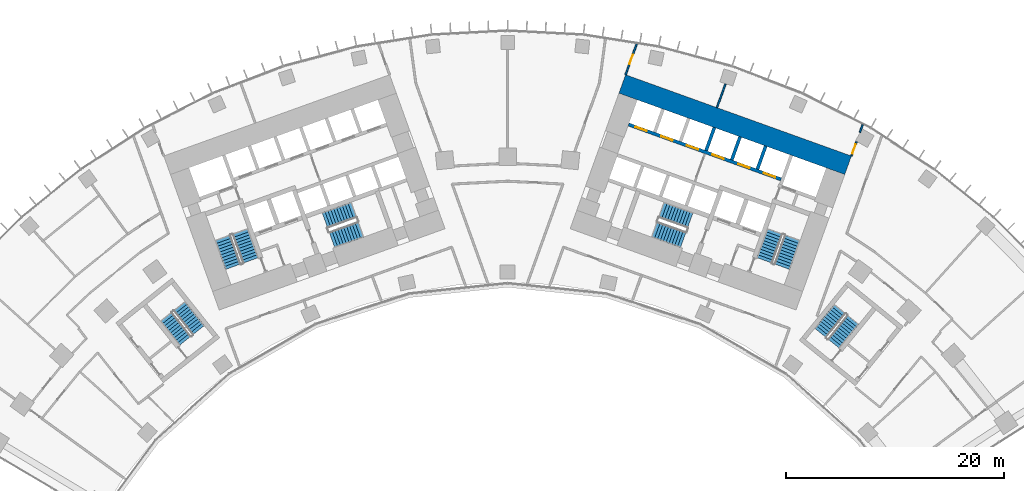
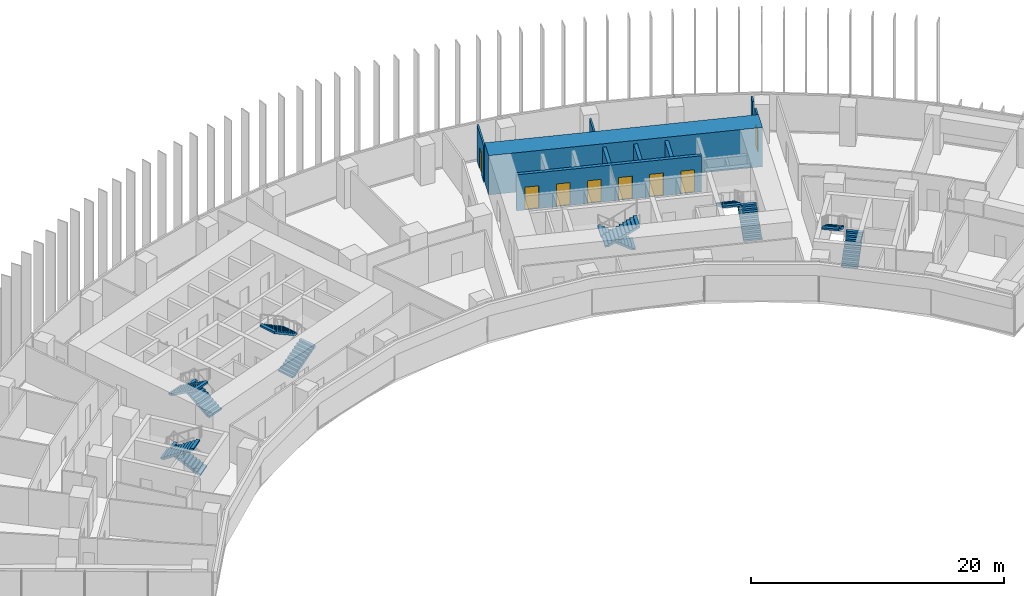
# One storey, part 23 of 25: 12 stair flights, 9 walls, 8 doors, 8 openings, 6 elements without a shape of their own.
"""IFC4 building model written with IfcOpenShell, lengths in metres."""

from ifc_helpers import new_model, si_unit, direction, frame, frame_2d, origin, place, context, subcontext, project, spatial, polyline, rectangle, outline, extrude, material, layer, layer_set, type_object, element, fill, aggregate, save


model = new_model("IFC4")

# Units and contexts
model_context = context("Model", 3, precision=1e-05, world=origin(), true_north=direction((0.0, 1.0)))
body_context = subcontext(model_context, "Body", "Model", "MODEL_VIEW")
ifc_project = project(units=[si_unit("LENGTHUNIT", "METRE"), si_unit("AREAUNIT", "SQUARE_METRE"), si_unit("VOLUMEUNIT", "CUBIC_METRE"), si_unit("PLANEANGLEUNIT", "RADIAN"), si_unit("MASSUNIT", "GRAM", prefix="KILO")], contexts=[model_context])

# Site, building, storey
site_placement = place(None, origin())
site = spatial("IfcSite", under=ifc_project, at=site_placement, CompositionType="ELEMENT")
building_placement = place(site_placement, origin())
building = spatial("IfcBuilding", under=site, at=building_placement, Name="Stone Belt Terrace Tower", CompositionType="ELEMENT")
storey_placement = place(building_placement, frame((0.0, 0.0, 52.800048828125)))
storey = spatial("IfcBuildingStorey", under=building, at=storey_placement, Name="L12", CompositionType="ELEMENT", Elevation=52.800048828125)

# Wall
ifc_material_1 = material(Name="Concrete B80", Category="concrete")
ifc_layer_1 = layer(ifc_material_1, 1.800048828125)
ifc_layer_set_1 = layer_set([ifc_layer_1], Name="Core wall 1800 B80")
wall_type_1 = type_object("IfcWallType", Name="Core wall 1800 B80", PredefinedType="SHEAR", material=ifc_layer_set_1)
wall_1_placement = place(storey_placement, frame((10.509033203125, 61.685546875, 0.0), z_axis=(0.0, 0.0, 1.0), x_axis=(0.940922914687, -0.338620833112, 0.0)))
element("IfcWall", 1, at=wall_1_placement, inside=storey, type_object=wall_type_1, Name="Core B wall convex L12", PredefinedType="SHEAR", context=body_context, shape_type="SweptSolid", body=[
    extrude(rectangle(XDim=22.000244140625, YDim=1.800048828125, at=frame_2d((11.0, 0.0))), origin(), (0.0, 0.0, 1.0), 3.800048828125),
])

# Wall, openings, doors
ifc_layer_2 = layer(ifc_material_1, 0.300048828125)
ifc_layer_set_2 = layer_set([ifc_layer_2], Name="Lift shaft wall 300")
wall_type_2 = type_object("IfcWallType", Name="Lift shaft wall 300", PredefinedType="SHEAR", material=ifc_layer_set_2)
wall_2_placement = place(storey_placement, frame((25.05810546875, 52.9423828125, 0.0), z_axis=(0.0, 0.0, 1.0), x_axis=(-0.940918215764, 0.338633889685, 0.0)))
wall_2 = element("IfcWall", 2, at=wall_2_placement, inside=storey, type_object=wall_type_2, Name="Core B wall", PredefinedType="SHEAR", context=body_context, shape_type="SweptSolid", body=[
    extrude(rectangle(XDim=14.850341796875, YDim=0.300048828125, at=frame_2d((7.42529296875, 0.0))), origin(), (0.0, 0.0, 1.0), 3.47998046875),
])
opening_1_placement = place(wall_2_placement, frame((0.570068359375, 0.0, 0.0)))
opening_1 = element("IfcOpeningElement", 3, at=opening_1_placement, cuts=wall_2, Name="Opening L12-LD10", PredefinedType="OPENING", context=body_context, shape_type="SweptSolid", body=[
    extrude(rectangle(XDim=1.10009765625, YDim=2.199951171875, at=frame_2d((0.550048828125, 1.10009765625))), frame((0.0, 0.159912109375, 0.0), z_axis=(0.0, -1.0, 0.0), x_axis=(1.0, 0.0, 0.0)), (0.0, 0.0, 1.0), 0.320068359375),
])
opening_2_placement = place(wall_2_placement, frame((3.070068359375, 0.0, 0.0)))
opening_2 = element("IfcOpeningElement", 4, at=opening_2_placement, cuts=wall_2, Name="Opening L12-LD11", PredefinedType="OPENING", context=body_context, shape_type="SweptSolid", body=[
    extrude(rectangle(XDim=1.10009765625, YDim=2.199951171875, at=frame_2d((0.550048828125, 1.10009765625))), frame((0.0, 0.159912109375, 0.0), z_axis=(0.0, -1.0, 0.0), x_axis=(1.0, 0.0, 0.0)), (0.0, 0.0, 1.0), 0.320068359375),
])
opening_3_placement = place(wall_2_placement, frame((5.570068359375, 0.0, 0.0)))
opening_3 = element("IfcOpeningElement", 5, at=opening_3_placement, cuts=wall_2, Name="Opening L12-LD12", PredefinedType="OPENING", context=body_context, shape_type="SweptSolid", body=[
    extrude(rectangle(XDim=1.10009765625, YDim=2.199951171875, at=frame_2d((0.550048828125, 1.10009765625))), frame((0.0, 0.159912109375, 0.0), z_axis=(0.0, -1.0, 0.0), x_axis=(1.0, 0.0, 0.0)), (0.0, 0.0, 1.0), 0.320068359375),
])
opening_4_placement = place(wall_2_placement, frame((8.070068359375, 0.0, 0.0)))
opening_4 = element("IfcOpeningElement", 6, at=opening_4_placement, cuts=wall_2, Name="Opening L12-LD13", PredefinedType="OPENING", context=body_context, shape_type="SweptSolid", body=[
    extrude(rectangle(XDim=1.10009765625, YDim=2.199951171875, at=frame_2d((0.550048828125, 1.10009765625))), frame((0.0, 0.159912109375, 0.0), z_axis=(0.0, -1.0, 0.0), x_axis=(1.0, 0.0, 0.0)), (0.0, 0.0, 1.0), 0.320068359375),
])
opening_5_placement = place(wall_2_placement, frame((10.570068359375, 0.0, 0.0)))
opening_5 = element("IfcOpeningElement", 7, at=opening_5_placement, cuts=wall_2, Name="Opening L12-LD14", PredefinedType="OPENING", context=body_context, shape_type="SweptSolid", body=[
    extrude(rectangle(XDim=1.10009765625, YDim=2.199951171875, at=frame_2d((0.550048828125, 1.10009765625))), frame((0.0, 0.159912109375, 0.0), z_axis=(0.0, -1.0, 0.0), x_axis=(1.0, 0.0, 0.0)), (0.0, 0.0, 1.0), 0.320068359375),
])
opening_6_placement = place(wall_2_placement, frame((13.070068359375, 0.0, 0.0)))
opening_6 = element("IfcOpeningElement", 8, at=opening_6_placement, cuts=wall_2, Name="Opening L12-LD15", PredefinedType="OPENING", context=body_context, shape_type="SweptSolid", body=[
    extrude(rectangle(XDim=1.10009765625, YDim=2.199951171875, at=frame_2d((0.550048828125, 1.10009765625))), frame((0.0, 0.159912109375, 0.0), z_axis=(0.0, -1.0, 0.0), x_axis=(1.0, 0.0, 0.0)), (0.0, 0.0, 1.0), 0.320068359375),
])
ifc_material_2 = material(Name="Stainless steel door leaf", Category="steel")
door_type_1 = type_object("IfcDoorType", Name="Landing door 1100", OperationType="SLIDING_TO_LEFT", PredefinedType="DOOR", material=ifc_material_2)
door_1_placement = place(opening_1_placement, origin())
door_1 = element("IfcDoor", 9, at=door_1_placement, inside=storey, type_object=door_type_1, Name="Landing door LR1 core B", OperationType="SLIDING_TO_LEFT", OverallHeight=2.199951171875, OverallWidth=1.10009765625, PredefinedType="DOOR", context=body_context, shape_type="SweptSolid", body=[
    extrude(rectangle(XDim=1.10009765625, YDim=2.199951171875, at=frame_2d((0.550048828125, 1.10009765625))), frame((0.0, 0.02490234375, 0.0), z_axis=(0.0, -1.0, 0.0), x_axis=(1.0, 0.0, 0.0)), (0.0, 0.0, 1.0), 0.050048828125),
])
fill(opening_1, door_1)
door_2_placement = place(opening_2_placement, origin())
door_2 = element("IfcDoor", 10, at=door_2_placement, inside=storey, type_object=door_type_1, Name="Landing door LR2 core B", OperationType="SLIDING_TO_LEFT", OverallHeight=2.199951171875, OverallWidth=1.10009765625, PredefinedType="DOOR", context=body_context, shape_type="SweptSolid", body=[
    extrude(rectangle(XDim=1.10009765625, YDim=2.199951171875, at=frame_2d((0.550048828125, 1.10009765625))), frame((0.0, 0.02490234375, 0.0), z_axis=(0.0, -1.0, 0.0), x_axis=(1.0, 0.0, 0.0)), (0.0, 0.0, 1.0), 0.050048828125),
])
fill(opening_2, door_2)
door_3_placement = place(opening_3_placement, origin())
door_3 = element("IfcDoor", 11, at=door_3_placement, inside=storey, type_object=door_type_1, Name="Landing door LR3 core B", OperationType="SLIDING_TO_LEFT", OverallHeight=2.199951171875, OverallWidth=1.10009765625, PredefinedType="DOOR", context=body_context, shape_type="SweptSolid", body=[
    extrude(rectangle(XDim=1.10009765625, YDim=2.199951171875, at=frame_2d((0.550048828125, 1.10009765625))), frame((0.0, 0.02490234375, 0.0), z_axis=(0.0, -1.0, 0.0), x_axis=(1.0, 0.0, 0.0)), (0.0, 0.0, 1.0), 0.050048828125),
])
fill(opening_3, door_3)
door_4_placement = place(opening_4_placement, origin())
door_4 = element("IfcDoor", 12, at=door_4_placement, inside=storey, type_object=door_type_1, Name="Landing door LR4 core B", OperationType="SLIDING_TO_LEFT", OverallHeight=2.199951171875, OverallWidth=1.10009765625, PredefinedType="DOOR", context=body_context, shape_type="SweptSolid", body=[
    extrude(rectangle(XDim=1.10009765625, YDim=2.199951171875, at=frame_2d((0.550048828125, 1.10009765625))), frame((0.0, 0.02490234375, 0.0), z_axis=(0.0, -1.0, 0.0), x_axis=(1.0, 0.0, 0.0)), (0.0, 0.0, 1.0), 0.050048828125),
])
fill(opening_4, door_4)
door_5_placement = place(opening_5_placement, origin())
door_5 = element("IfcDoor", 13, at=door_5_placement, inside=storey, type_object=door_type_1, Name="Landing door LR5 core B", OperationType="SLIDING_TO_LEFT", OverallHeight=2.199951171875, OverallWidth=1.10009765625, PredefinedType="DOOR", context=body_context, shape_type="SweptSolid", body=[
    extrude(rectangle(XDim=1.10009765625, YDim=2.199951171875, at=frame_2d((0.550048828125, 1.10009765625))), frame((0.0, 0.02490234375, 0.0), z_axis=(0.0, -1.0, 0.0), x_axis=(1.0, 0.0, 0.0)), (0.0, 0.0, 1.0), 0.050048828125),
])
fill(opening_5, door_5)
door_6_placement = place(opening_6_placement, origin())
door_6 = element("IfcDoor", 14, at=door_6_placement, inside=storey, type_object=door_type_1, Name="Landing door LR6 core B", OperationType="SLIDING_TO_LEFT", OverallHeight=2.199951171875, OverallWidth=1.10009765625, PredefinedType="DOOR", context=body_context, shape_type="SweptSolid", body=[
    extrude(rectangle(XDim=1.10009765625, YDim=2.199951171875, at=frame_2d((0.550048828125, 1.10009765625))), frame((0.0, 0.02490234375, 0.0), z_axis=(0.0, -1.0, 0.0), x_axis=(1.0, 0.0, 0.0)), (0.0, 0.0, 1.0), 0.050048828125),
])
fill(opening_6, door_6)

# Walls
wall_3_placement = place(storey_placement, frame((22.897705078125, 53.87939453125, 0.0), z_axis=(0.0, 0.0, 1.0), x_axis=(0.338535034312, 0.940953787677, 0.0)))
element("IfcWall", 15, at=wall_3_placement, inside=storey, type_object=wall_type_2, Name="Core B wall", PredefinedType="SHEAR", context=body_context, shape_type="SweptSolid", body=[
    extrude(rectangle(XDim=2.25, YDim=0.300048828125, at=frame_2d((1.125, 0.0))), origin(), (0.0, 0.0, 1.0), 3.47998046875),
])
wall_4_placement = place(storey_placement, frame((20.54541015625, 54.72607421875, 0.0), z_axis=(0.0, 0.0, 1.0), x_axis=(0.338569601369, 0.940941350472, 0.0)))
element("IfcWall", 16, at=wall_4_placement, inside=storey, type_object=wall_type_2, Name="Core B wall", PredefinedType="SHEAR", context=body_context, shape_type="SweptSolid", body=[
    extrude(rectangle(XDim=2.249755859375, YDim=0.300048828125, at=frame_2d((1.125, 0.0))), origin(), (0.0, 0.0, 1.0), 3.47998046875),
])
wall_5_placement = place(storey_placement, frame((18.193115234375, 55.572509765625, 0.0), z_axis=(0.0, 0.0, 1.0), x_axis=(0.338535034312, 0.940953787677, 0.0)))
element("IfcWall", 17, at=wall_5_placement, inside=storey, type_object=wall_type_2, Name="Core B wall", PredefinedType="SHEAR", context=body_context, shape_type="SweptSolid", body=[
    extrude(rectangle(XDim=2.25, YDim=0.300048828125, at=frame_2d((1.125, 0.0))), origin(), (0.0, 0.0, 1.0), 3.47998046875),
])

# Wall, opening, door
ifc_material_3 = material(Name="Gypsum board partition")
ifc_layer_3 = layer(ifc_material_3, 0.14990234375)
ifc_layer_set_3 = layer_set([ifc_layer_3], Name="PARTITION 150 EI 60")
wall_type_3 = type_object("IfcWallType", Name="PARTITION 150 EI 60", PredefinedType="PARTITIONING", material=ifc_layer_set_3)
wall_6_placement = place(storey_placement, frame((11.831787109375, 65.360107421875, 0.0), z_axis=(0.0, 0.0, 1.0), x_axis=(-0.338630302468, -0.940919506786, 0.0)))
wall_6 = element("IfcWall", 18, at=wall_6_placement, inside=storey, type_object=wall_type_3, Name="L12/wall/i018", PredefinedType="PARTITIONING", context=body_context, shape_type="SweptSolid", body=[
    extrude(rectangle(XDim=3.005615234375, YDim=0.14990234375, at=frame_2d((1.5029296875, 0.0))), origin(), (0.0, 0.0, 1.0), 3.47998046875),
])
opening_7_placement = place(wall_6_placement, frame((1.052734375, 0.0, 0.0)))
opening_7 = element("IfcOpeningElement", 19, at=opening_7_placement, cuts=wall_6, Name="Opening D-A3b-09", PredefinedType="OPENING", context=body_context, shape_type="SweptSolid", body=[
    extrude(rectangle(XDim=0.89990234375, YDim=2.10009765625, at=frame_2d((0.449951171875, 1.050048828125))), frame((0.0, 0.0849609375, 0.0), z_axis=(0.0, -1.0, 0.0), x_axis=(1.0, 0.0, 0.0)), (0.0, 0.0, 1.0), 0.169921875),
])
ifc_material_4 = material(Name="Timber door leaf", Category="wood")
door_type_2 = type_object("IfcDoorType", Name="OFFICE DOOR 900 X 2100", OperationType="NOTDEFINED", PredefinedType="DOOR", material=ifc_material_4)
door_7_placement = place(opening_7_placement, origin())
door_7 = element("IfcDoor", 20, at=door_7_placement, inside=storey, type_object=door_type_2, Name="L12/door/i09", OperationType="SINGLE_SWING_RIGHT", OverallHeight=2.10009765625, OverallWidth=0.89990234375, PredefinedType="DOOR", context=body_context, shape_type="SweptSolid", body=[
    extrude(rectangle(XDim=0.89990234375, YDim=2.10009765625, at=frame_2d((0.449951171875, 1.050048828125))), frame((0.0, 0.02490234375, 0.0), z_axis=(0.0, -1.0, 0.0), x_axis=(1.0, 0.0, 0.0)), (0.0, 0.0, 1.0), 0.050048828125),
])
fill(opening_7, door_7)

wall_7_placement = place(storey_placement, frame((31.513916015625, 55.0830078125, 0.0), z_axis=(0.0, 0.0, 1.0), x_axis=(0.338861945182, 0.940836107995, 0.0)))
wall_7 = element("IfcWall", 21, at=wall_7_placement, inside=storey, type_object=wall_type_3, Name="L12/wall/i023", PredefinedType="PARTITIONING", context=body_context, shape_type="SweptSolid", body=[
    extrude(rectangle(XDim=1.3955078125, YDim=0.14990234375, at=frame_2d((0.69775390625, 0.0))), origin(), (0.0, 0.0, 1.0), 3.47998046875),
])
opening_8_placement = place(wall_7_placement, frame((0.247802734375, 0.0, 0.0)))
opening_8 = element("IfcOpeningElement", 22, at=opening_8_placement, cuts=wall_7, Name="Opening D-A3b-10", PredefinedType="OPENING", context=body_context, shape_type="SweptSolid", body=[
    extrude(rectangle(XDim=0.89990234375, YDim=2.10009765625, at=frame_2d((0.449951171875, 1.050048828125))), frame((0.0, 0.0849609375, 0.0), z_axis=(0.0, -1.0, 0.0), x_axis=(1.0, 0.0, 0.0)), (0.0, 0.0, 1.0), 0.169921875),
])
door_8_placement = place(opening_8_placement, origin())
door_8 = element("IfcDoor", 23, at=door_8_placement, inside=storey, type_object=door_type_2, Name="L12/door/i10", OperationType="SINGLE_SWING_RIGHT", OverallHeight=2.10009765625, OverallWidth=0.89990234375, PredefinedType="DOOR", context=body_context, shape_type="SweptSolid", body=[
    extrude(rectangle(XDim=0.89990234375, YDim=2.10009765625, at=frame_2d((0.449951171875, 1.050048828125))), frame((0.0, 0.02490234375, 0.0), z_axis=(0.0, -1.0, 0.0), x_axis=(1.0, 0.0, 0.0)), (0.0, 0.0, 1.0), 0.050048828125),
])
fill(opening_8, door_8)

# Walls
wall_8_placement = place(storey_placement, frame((32.290283203125, 57.238525390625, 0.0), z_axis=(0.0, 0.0, 1.0), x_axis=(0.338960201827, 0.940800712998, 0.0)))
element("IfcWall", 24, at=wall_8_placement, inside=storey, type_object=wall_type_3, Name="L12/wall/i024", PredefinedType="PARTITIONING", context=body_context, shape_type="SweptSolid", body=[
    extrude(rectangle(XDim=0.754150390625, YDim=0.14990234375, at=frame_2d((0.376953125, 0.0))), origin(), (0.0, 0.0, 1.0), 3.47998046875),
])
wall_9_placement = place(storey_placement, frame((19.968994140625, 61.68212890625, 0.0), z_axis=(0.0, 0.0, 1.0), x_axis=(-0.338715709517, -0.940888765012, 0.0)))
element("IfcWall", 25, at=wall_9_placement, inside=storey, type_object=wall_type_3, Name="L12/wall/i033", PredefinedType="PARTITIONING", context=body_context, shape_type="SweptSolid", body=[
    extrude(rectangle(XDim=2.300048828125, YDim=0.14990234375, at=frame_2d((1.14990234375, 0.0))), origin(), (0.0, 0.0, 1.0), 3.47998046875),
])

# Stair, stair flights
ifc_material_5 = material(Name="Concrete B40", Category="concrete")
stair_type = type_object("IfcStairType", Name="Exit stair 1500", PredefinedType="HALF_TURN_STAIR", material=ifc_material_5)
stair_1_placement = place(storey_placement, origin())
stair_1 = element("IfcStair", 26, at=stair_1_placement, inside=storey, type_object=stair_type, Name="L12 Exit stair 1 core A", PredefinedType="HALF_TURN_STAIR")
stair_flight_type = type_object("IfcStairFlightType", Name="Stair flight 1500", PredefinedType="STRAIGHT", material=ifc_material_5)
stair_flight_1_placement = place(storey_placement, frame((-23.55322265625, 45.51318359375, 0.0), z_axis=(0.0, 0.0, 1.0), x_axis=(-0.338624396177, 0.940921632398, 0.0)))
stair_flight_1 = element("IfcStairFlight", 27, at=stair_flight_1_placement, type_object=stair_flight_type, Name="ST1A flight 1", NumberOfRisers=11, NumberOfTreads=10, PredefinedType="STRAIGHT", RiserHeight=0.172727273, TreadLength=0.28, context=body_context, shape_type="SweptSolid", body=[
    extrude(outline(polyline([(0.0, 0.0), (0.0, 0.172607421875), (0.280029296875, 0.172607421875), (0.280029296875, 0.345458984375), (0.56005859375, 0.345458984375), (0.56005859375, 0.51806640625), (0.840087890625, 0.51806640625), (0.840087890625, 0.69091796875), (1.1201171875, 0.69091796875), (1.1201171875, 0.863525390625), (1.39990234375, 0.863525390625), (1.39990234375, 1.036376953125), (1.679931640625, 1.036376953125), (1.679931640625, 1.208984375), (1.9599609375, 1.208984375), (1.9599609375, 1.3818359375), (2.239990234375, 1.3818359375), (2.239990234375, 1.554443359375), (2.52001953125, 1.554443359375), (2.52001953125, 1.727294921875), (2.800048828125, 1.727294921875), (2.800048828125, 1.89990234375), (2.800048828125, 1.551025390625), (0.285400390625, 0.0), (0.0, 0.0)])), frame((0.0, 0.75, 0.0), z_axis=(0.0, -1.0, 0.0), x_axis=(1.0, 0.0, 0.0)), (0.0, 0.0, 1.0), 1.5),
])
stair_flight_2_placement = place(storey_placement, frame((-26.10107421875, 47.572021484375, 1.89990234375), z_axis=(0.0, 0.0, 1.0), x_axis=(0.338624396177, -0.940921632398, 0.0)))
stair_flight_2 = element("IfcStairFlight", 28, at=stair_flight_2_placement, type_object=stair_flight_type, Name="ST1A flight 2", NumberOfRisers=11, NumberOfTreads=10, PredefinedType="STRAIGHT", RiserHeight=0.172727273, TreadLength=0.28, context=body_context, shape_type="SweptSolid", body=[
    extrude(outline(polyline([(0.0, 0.0), (0.0, 0.172607421875), (0.280029296875, 0.172607421875), (0.280029296875, 0.345458984375), (0.56005859375, 0.345458984375), (0.56005859375, 0.51806640625), (0.840087890625, 0.51806640625), (0.840087890625, 0.69091796875), (1.1201171875, 0.69091796875), (1.1201171875, 0.863525390625), (1.39990234375, 0.863525390625), (1.39990234375, 1.036376953125), (1.679931640625, 1.036376953125), (1.679931640625, 1.208984375), (1.9599609375, 1.208984375), (1.9599609375, 1.3818359375), (2.239990234375, 1.3818359375), (2.239990234375, 1.554443359375), (2.52001953125, 1.554443359375), (2.52001953125, 1.727294921875), (2.800048828125, 1.727294921875), (2.800048828125, 1.89990234375), (2.800048828125, 1.551025390625), (0.285400390625, 0.0), (0.0, 0.0)])), frame((0.0, 0.75, 0.0), z_axis=(0.0, -1.0, 0.0), x_axis=(1.0, 0.0, 0.0)), (0.0, 0.0, 1.0), 1.5),
])
aggregate(stair_1, [stair_flight_1, stair_flight_2])

stair_2_placement = place(storey_placement, origin())
stair_2 = element("IfcStair", 29, at=stair_2_placement, inside=storey, type_object=stair_type, Name="L12 Exit stair 2 core A", PredefinedType="HALF_TURN_STAIR")
stair_flight_3_placement = place(storey_placement, frame((-16.101318359375, 47.39794921875, 0.0), z_axis=(0.0, 0.0, 1.0), x_axis=(0.940921632398, 0.338624396177, 0.0)))
stair_flight_3 = element("IfcStairFlight", 30, at=stair_flight_3_placement, type_object=stair_flight_type, Name="ST2A flight 1", NumberOfRisers=11, NumberOfTreads=10, PredefinedType="STRAIGHT", RiserHeight=0.172727273, TreadLength=0.28, context=body_context, shape_type="SweptSolid", body=[
    extrude(outline(polyline([(0.0, 0.0), (0.0, 0.172607421875), (0.280029296875, 0.172607421875), (0.280029296875, 0.345458984375), (0.56005859375, 0.345458984375), (0.56005859375, 0.51806640625), (0.840087890625, 0.51806640625), (0.840087890625, 0.69091796875), (1.1201171875, 0.69091796875), (1.1201171875, 0.863525390625), (1.39990234375, 0.863525390625), (1.39990234375, 1.036376953125), (1.679931640625, 1.036376953125), (1.679931640625, 1.208984375), (1.9599609375, 1.208984375), (1.9599609375, 1.3818359375), (2.239990234375, 1.3818359375), (2.239990234375, 1.554443359375), (2.52001953125, 1.554443359375), (2.52001953125, 1.727294921875), (2.800048828125, 1.727294921875), (2.800048828125, 1.89990234375), (2.800048828125, 1.551025390625), (0.285400390625, 0.0), (0.0, 0.0)])), frame((0.0, 0.75, 0.0), z_axis=(0.0, -1.0, 0.0), x_axis=(1.0, 0.0, 0.0)), (0.0, 0.0, 1.0), 1.5),
])
stair_flight_4_placement = place(storey_placement, frame((-14.110107421875, 50.1337890625, 1.89990234375), z_axis=(0.0, 0.0, 1.0), x_axis=(-0.940921632398, -0.338624396177, 0.0)))
stair_flight_4 = element("IfcStairFlight", 31, at=stair_flight_4_placement, type_object=stair_flight_type, Name="ST2A flight 2", NumberOfRisers=11, NumberOfTreads=10, PredefinedType="STRAIGHT", RiserHeight=0.172727273, TreadLength=0.28, context=body_context, shape_type="SweptSolid", body=[
    extrude(outline(polyline([(0.0, 0.0), (0.0, 0.172607421875), (0.280029296875, 0.172607421875), (0.280029296875, 0.345458984375), (0.56005859375, 0.345458984375), (0.56005859375, 0.51806640625), (0.840087890625, 0.51806640625), (0.840087890625, 0.69091796875), (1.1201171875, 0.69091796875), (1.1201171875, 0.863525390625), (1.39990234375, 0.863525390625), (1.39990234375, 1.036376953125), (1.679931640625, 1.036376953125), (1.679931640625, 1.208984375), (1.9599609375, 1.208984375), (1.9599609375, 1.3818359375), (2.239990234375, 1.3818359375), (2.239990234375, 1.554443359375), (2.52001953125, 1.554443359375), (2.52001953125, 1.727294921875), (2.800048828125, 1.727294921875), (2.800048828125, 1.89990234375), (2.800048828125, 1.551025390625), (0.285400390625, 0.0), (0.0, 0.0)])), frame((0.0, 0.75, 0.0), z_axis=(0.0, -1.0, 0.0), x_axis=(1.0, 0.0, 0.0)), (0.0, 0.0, 1.0), 1.5),
])
aggregate(stair_2, [stair_flight_3, stair_flight_4])

stair_3_placement = place(storey_placement, origin())
stair_3 = element("IfcStair", 32, at=stair_3_placement, inside=storey, type_object=stair_type, Name="L12 Exit stair 1 core B", PredefinedType="HALF_TURN_STAIR")
stair_flight_5_placement = place(storey_placement, frame((25.15283203125, 44.9375, 0.0), z_axis=(0.0, 0.0, 1.0), x_axis=(0.338624396177, 0.940921632398, 0.0)))
stair_flight_5 = element("IfcStairFlight", 33, at=stair_flight_5_placement, type_object=stair_flight_type, Name="ST1B flight 1", NumberOfRisers=11, NumberOfTreads=10, PredefinedType="STRAIGHT", RiserHeight=0.172727273, TreadLength=0.28, context=body_context, shape_type="SweptSolid", body=[
    extrude(outline(polyline([(0.0, 0.0), (0.0, 0.172607421875), (0.280029296875, 0.172607421875), (0.280029296875, 0.345458984375), (0.56005859375, 0.345458984375), (0.56005859375, 0.51806640625), (0.840087890625, 0.51806640625), (0.840087890625, 0.69091796875), (1.1201171875, 0.69091796875), (1.1201171875, 0.863525390625), (1.39990234375, 0.863525390625), (1.39990234375, 1.036376953125), (1.679931640625, 1.036376953125), (1.679931640625, 1.208984375), (1.9599609375, 1.208984375), (1.9599609375, 1.3818359375), (2.239990234375, 1.3818359375), (2.239990234375, 1.554443359375), (2.52001953125, 1.554443359375), (2.52001953125, 1.727294921875), (2.800048828125, 1.727294921875), (2.800048828125, 1.89990234375), (2.800048828125, 1.551025390625), (0.285400390625, 0.0), (0.0, 0.0)])), frame((0.0, 0.75, 0.0), z_axis=(0.0, -1.0, 0.0), x_axis=(1.0, 0.0, 0.0)), (0.0, 0.0, 1.0), 1.5),
])
stair_flight_6_placement = place(storey_placement, frame((24.50146484375, 48.147705078125, 1.89990234375), z_axis=(0.0, 0.0, 1.0), x_axis=(-0.338624396177, -0.940921632398, 0.0)))
stair_flight_6 = element("IfcStairFlight", 34, at=stair_flight_6_placement, type_object=stair_flight_type, Name="ST1B flight 2", NumberOfRisers=11, NumberOfTreads=10, PredefinedType="STRAIGHT", RiserHeight=0.172727273, TreadLength=0.28, context=body_context, shape_type="SweptSolid", body=[
    extrude(outline(polyline([(0.0, 0.0), (0.0, 0.172607421875), (0.280029296875, 0.172607421875), (0.280029296875, 0.345458984375), (0.56005859375, 0.345458984375), (0.56005859375, 0.51806640625), (0.840087890625, 0.51806640625), (0.840087890625, 0.69091796875), (1.1201171875, 0.69091796875), (1.1201171875, 0.863525390625), (1.39990234375, 0.863525390625), (1.39990234375, 1.036376953125), (1.679931640625, 1.036376953125), (1.679931640625, 1.208984375), (1.9599609375, 1.208984375), (1.9599609375, 1.3818359375), (2.239990234375, 1.3818359375), (2.239990234375, 1.554443359375), (2.52001953125, 1.554443359375), (2.52001953125, 1.727294921875), (2.800048828125, 1.727294921875), (2.800048828125, 1.89990234375), (2.800048828125, 1.551025390625), (0.285400390625, 0.0), (0.0, 0.0)])), frame((0.0, 0.75, 0.0), z_axis=(0.0, -1.0, 0.0), x_axis=(1.0, 0.0, 0.0)), (0.0, 0.0, 1.0), 1.5),
])
aggregate(stair_3, [stair_flight_5, stair_flight_6])

stair_4_placement = place(storey_placement, origin())
stair_4 = element("IfcStair", 35, at=stair_4_placement, inside=storey, type_object=stair_type, Name="L12 Exit stair 2 core B", PredefinedType="HALF_TURN_STAIR")
stair_flight_7_placement = place(storey_placement, frame((16.74462890625, 49.185546875, 0.0), z_axis=(0.0, 0.0, 1.0), x_axis=(-0.940921632398, 0.338624396177, 0.0)))
stair_flight_7 = element("IfcStairFlight", 36, at=stair_flight_7_placement, type_object=stair_flight_type, Name="ST2B flight 1", NumberOfRisers=11, NumberOfTreads=10, PredefinedType="STRAIGHT", RiserHeight=0.172727273, TreadLength=0.28, context=body_context, shape_type="SweptSolid", body=[
    extrude(outline(polyline([(0.0, 0.0), (0.0, 0.172607421875), (0.280029296875, 0.172607421875), (0.280029296875, 0.345458984375), (0.56005859375, 0.345458984375), (0.56005859375, 0.51806640625), (0.840087890625, 0.51806640625), (0.840087890625, 0.69091796875), (1.1201171875, 0.69091796875), (1.1201171875, 0.863525390625), (1.39990234375, 0.863525390625), (1.39990234375, 1.036376953125), (1.679931640625, 1.036376953125), (1.679931640625, 1.208984375), (1.9599609375, 1.208984375), (1.9599609375, 1.3818359375), (2.239990234375, 1.3818359375), (2.239990234375, 1.554443359375), (2.52001953125, 1.554443359375), (2.52001953125, 1.727294921875), (2.800048828125, 1.727294921875), (2.800048828125, 1.89990234375), (2.800048828125, 1.551025390625), (0.285400390625, 0.0), (0.0, 0.0)])), frame((0.0, 0.75, 0.0), z_axis=(0.0, -1.0, 0.0), x_axis=(1.0, 0.0, 0.0)), (0.0, 0.0, 1.0), 1.5),
])
stair_flight_8_placement = place(storey_placement, frame((13.466796875, 48.345947265625, 1.89990234375), z_axis=(0.0, 0.0, 1.0), x_axis=(0.940921632398, -0.338624396177, 0.0)))
stair_flight_8 = element("IfcStairFlight", 37, at=stair_flight_8_placement, type_object=stair_flight_type, Name="ST2B flight 2", NumberOfRisers=11, NumberOfTreads=10, PredefinedType="STRAIGHT", RiserHeight=0.172727273, TreadLength=0.28, context=body_context, shape_type="SweptSolid", body=[
    extrude(outline(polyline([(0.0, 0.0), (0.0, 0.172607421875), (0.280029296875, 0.172607421875), (0.280029296875, 0.345458984375), (0.56005859375, 0.345458984375), (0.56005859375, 0.51806640625), (0.840087890625, 0.51806640625), (0.840087890625, 0.69091796875), (1.1201171875, 0.69091796875), (1.1201171875, 0.863525390625), (1.39990234375, 0.863525390625), (1.39990234375, 1.036376953125), (1.679931640625, 1.036376953125), (1.679931640625, 1.208984375), (1.9599609375, 1.208984375), (1.9599609375, 1.3818359375), (2.239990234375, 1.3818359375), (2.239990234375, 1.554443359375), (2.52001953125, 1.554443359375), (2.52001953125, 1.727294921875), (2.800048828125, 1.727294921875), (2.800048828125, 1.89990234375), (2.800048828125, 1.551025390625), (0.285400390625, 0.0), (0.0, 0.0)])), frame((0.0, 0.75, 0.0), z_axis=(0.0, -1.0, 0.0), x_axis=(1.0, 0.0, 0.0)), (0.0, 0.0, 1.0), 1.5),
])
aggregate(stair_4, [stair_flight_7, stair_flight_8])

stair_5_placement = place(storey_placement, origin())
stair_5 = element("IfcStair", 38, at=stair_5_placement, inside=storey, type_object=stair_type, Name="L12 Exit stair 3A", PredefinedType="HALF_TURN_STAIR")
stair_flight_9_placement = place(storey_placement, frame((-28.325439453125, 39.1240234375, 0.0), z_axis=(0.0, 0.0, 1.0), x_axis=(-0.623121363691, 0.782125160132, 0.0)))
stair_flight_9 = element("IfcStairFlight", 39, at=stair_flight_9_placement, type_object=stair_flight_type, Name="ST3A flight 1", NumberOfRisers=11, NumberOfTreads=10, PredefinedType="STRAIGHT", RiserHeight=0.172727273, TreadLength=0.28, context=body_context, shape_type="SweptSolid", body=[
    extrude(outline(polyline([(0.0, 0.0), (0.0, 0.172607421875), (0.280029296875, 0.172607421875), (0.280029296875, 0.345458984375), (0.56005859375, 0.345458984375), (0.56005859375, 0.51806640625), (0.840087890625, 0.51806640625), (0.840087890625, 0.69091796875), (1.1201171875, 0.69091796875), (1.1201171875, 0.863525390625), (1.39990234375, 0.863525390625), (1.39990234375, 1.036376953125), (1.679931640625, 1.036376953125), (1.679931640625, 1.208984375), (1.9599609375, 1.208984375), (1.9599609375, 1.3818359375), (2.239990234375, 1.3818359375), (2.239990234375, 1.554443359375), (2.52001953125, 1.554443359375), (2.52001953125, 1.727294921875), (2.800048828125, 1.727294921875), (2.800048828125, 1.89990234375), (2.800048828125, 1.551025390625), (0.285400390625, 0.0), (0.0, 0.0)])), frame((0.0, 0.675048828125, 0.0), z_axis=(0.0, -1.0, 0.0), x_axis=(1.0, 0.0, 0.0)), (0.0, 0.0, 1.0), 1.35009765625),
])
stair_flight_10_placement = place(storey_placement, frame((-31.282470703125, 40.34814453125, 1.89990234375), z_axis=(0.0, 0.0, 1.0), x_axis=(0.623121363691, -0.782125160132, 0.0)))
stair_flight_10 = element("IfcStairFlight", 40, at=stair_flight_10_placement, type_object=stair_flight_type, Name="ST3A flight 2", NumberOfRisers=11, NumberOfTreads=10, PredefinedType="STRAIGHT", RiserHeight=0.172727273, TreadLength=0.28, context=body_context, shape_type="SweptSolid", body=[
    extrude(outline(polyline([(0.0, 0.0), (0.0, 0.172607421875), (0.280029296875, 0.172607421875), (0.280029296875, 0.345458984375), (0.56005859375, 0.345458984375), (0.56005859375, 0.51806640625), (0.840087890625, 0.51806640625), (0.840087890625, 0.69091796875), (1.1201171875, 0.69091796875), (1.1201171875, 0.863525390625), (1.39990234375, 0.863525390625), (1.39990234375, 1.036376953125), (1.679931640625, 1.036376953125), (1.679931640625, 1.208984375), (1.9599609375, 1.208984375), (1.9599609375, 1.3818359375), (2.239990234375, 1.3818359375), (2.239990234375, 1.554443359375), (2.52001953125, 1.554443359375), (2.52001953125, 1.727294921875), (2.800048828125, 1.727294921875), (2.800048828125, 1.89990234375), (2.800048828125, 1.551025390625), (0.285400390625, 0.0), (0.0, 0.0)])), frame((0.0, 0.675048828125, 0.0), z_axis=(0.0, -1.0, 0.0), x_axis=(1.0, 0.0, 0.0)), (0.0, 0.0, 1.0), 1.35009765625),
])
aggregate(stair_5, [stair_flight_9, stair_flight_10])

stair_6_placement = place(storey_placement, origin())
stair_6 = element("IfcStair", 41, at=stair_6_placement, inside=storey, type_object=stair_type, Name="L12 Exit stair 3B", PredefinedType="HALF_TURN_STAIR")
stair_flight_11_placement = place(storey_placement, frame((29.88330078125, 37.887939453125, 0.0), z_axis=(0.0, 0.0, 1.0), x_axis=(0.630205749599, 0.776428176441, 0.0)))
stair_flight_11 = element("IfcStairFlight", 42, at=stair_flight_11_placement, type_object=stair_flight_type, Name="ST3B flight 1", NumberOfRisers=11, NumberOfTreads=10, PredefinedType="STRAIGHT", RiserHeight=0.172727273, TreadLength=0.28, context=body_context, shape_type="SweptSolid", body=[
    extrude(outline(polyline([(0.0, 0.0), (0.0, 0.172607421875), (0.280029296875, 0.172607421875), (0.280029296875, 0.345458984375), (0.56005859375, 0.345458984375), (0.56005859375, 0.51806640625), (0.840087890625, 0.51806640625), (0.840087890625, 0.69091796875), (1.1201171875, 0.69091796875), (1.1201171875, 0.863525390625), (1.39990234375, 0.863525390625), (1.39990234375, 1.036376953125), (1.679931640625, 1.036376953125), (1.679931640625, 1.208984375), (1.9599609375, 1.208984375), (1.9599609375, 1.3818359375), (2.239990234375, 1.3818359375), (2.239990234375, 1.554443359375), (2.52001953125, 1.554443359375), (2.52001953125, 1.727294921875), (2.800048828125, 1.727294921875), (2.800048828125, 1.89990234375), (2.800048828125, 1.551025390625), (0.285400390625, 0.0), (0.0, 0.0)])), frame((0.0, 0.675048828125, 0.0), z_axis=(0.0, -1.0, 0.0), x_axis=(1.0, 0.0, 0.0)), (0.0, 0.0, 1.0), 1.35009765625),
])
stair_flight_12_placement = place(storey_placement, frame((30.4443359375, 41.038818359375, 1.89990234375), z_axis=(0.0, 0.0, 1.0), x_axis=(-0.630205749599, -0.776428176441, 0.0)))
stair_flight_12 = element("IfcStairFlight", 43, at=stair_flight_12_placement, type_object=stair_flight_type, Name="ST3B flight 2", NumberOfRisers=11, NumberOfTreads=10, PredefinedType="STRAIGHT", RiserHeight=0.172727273, TreadLength=0.28, context=body_context, shape_type="SweptSolid", body=[
    extrude(outline(polyline([(0.0, 0.0), (0.0, 0.172607421875), (0.280029296875, 0.172607421875), (0.280029296875, 0.345458984375), (0.56005859375, 0.345458984375), (0.56005859375, 0.51806640625), (0.840087890625, 0.51806640625), (0.840087890625, 0.69091796875), (1.1201171875, 0.69091796875), (1.1201171875, 0.863525390625), (1.39990234375, 0.863525390625), (1.39990234375, 1.036376953125), (1.679931640625, 1.036376953125), (1.679931640625, 1.208984375), (1.9599609375, 1.208984375), (1.9599609375, 1.3818359375), (2.239990234375, 1.3818359375), (2.239990234375, 1.554443359375), (2.52001953125, 1.554443359375), (2.52001953125, 1.727294921875), (2.800048828125, 1.727294921875), (2.800048828125, 1.89990234375), (2.800048828125, 1.551025390625), (0.285400390625, 0.0), (0.0, 0.0)])), frame((0.0, 0.675048828125, 0.0), z_axis=(0.0, -1.0, 0.0), x_axis=(1.0, 0.0, 0.0)), (0.0, 0.0, 1.0), 1.35009765625),
])
aggregate(stair_6, [stair_flight_11, stair_flight_12])

save(model, "model.ifc")
